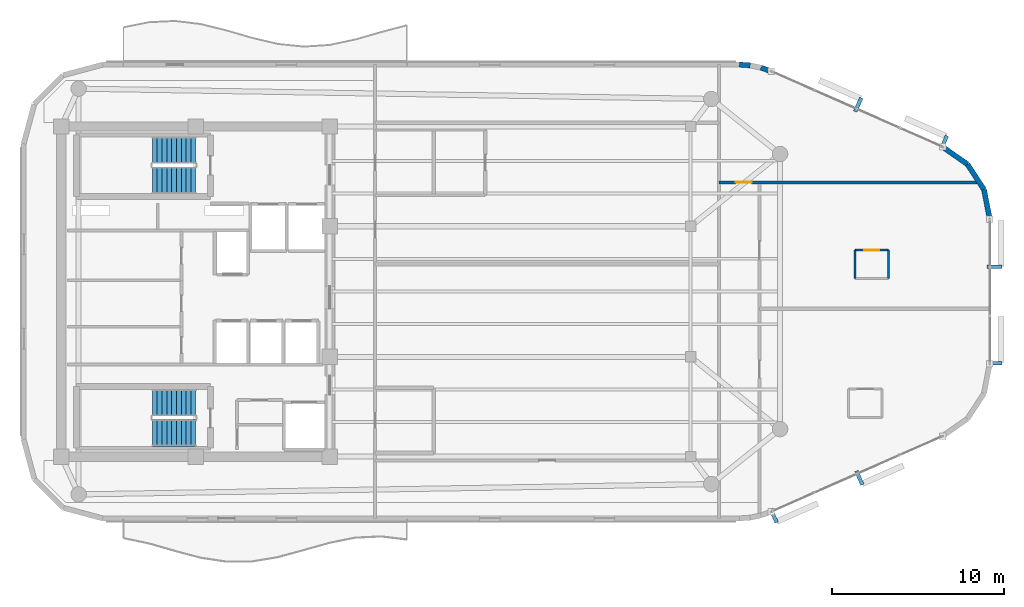
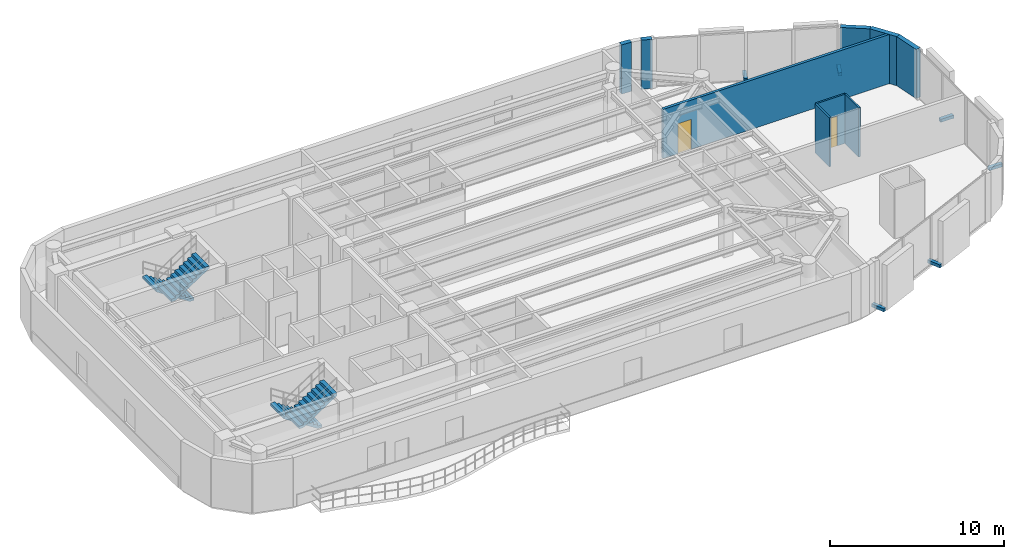
# One storey, part 10 of 12: 9 walls, 6 discrete accessories, 4 stair flights, 2 doors, 2 openings, 2 elements without a shape of their own.
"""IFC4 building model written with IfcOpenShell, lengths in metres."""

from ifc_helpers import new_model, si_unit, direction, frame, frame_2d, origin, origin_2d, place, context, subcontext, project, spatial, polyline, rectangle, outline, extrude, material, layer, layer_set, type_object, element, fill, aggregate, save


model = new_model("IFC4")

# Units and contexts
model_context = context("Model", 3, precision=1e-05, world=origin(), true_north=direction((0.0, 1.0)))
body_context = subcontext(model_context, "Body", "Model", "MODEL_VIEW")
ifc_project = project(units=[si_unit("LENGTHUNIT", "METRE"), si_unit("AREAUNIT", "SQUARE_METRE"), si_unit("VOLUMEUNIT", "CUBIC_METRE"), si_unit("PLANEANGLEUNIT", "RADIAN"), si_unit("MASSUNIT", "GRAM", prefix="KILO")], contexts=[model_context])

# Site, building, storey
site_placement = place(None, origin())
site = spatial("IfcSite", under=ifc_project, at=site_placement, CompositionType="ELEMENT")
building_placement = place(site_placement, origin())
building = spatial("IfcBuilding", under=site, at=building_placement, Name="An Khanh Terracotta Commons", CompositionType="ELEMENT")
storey_placement = place(building_placement, frame((0.0, 0.0, 262.449951171875)))
storey = spatial("IfcBuildingStorey", under=building, at=storey_placement, Name="L68", CompositionType="ELEMENT", Elevation=262.449951171875)

# Wall, opening, door
ifc_material_1 = material(Name="Fire-Rated Gypsum Board on Steel Stud", Category="steel")
ifc_layer_1 = layer(ifc_material_1, 0.179931640625, Name="Fire-Rated Gypsum Board on Steel Stud")
ifc_layer_set_1 = layer_set([ifc_layer_1], Name="Fire-Rated Gypsum Board on Steel Stud")
wall_type_1 = type_object("IfcWallType", Name="WALL-CORR-180", PredefinedType="PARTITIONING", material=ifc_layer_set_1)
wall_1_placement = place(storey_placement, frame((59.85009765625, 30.35009765625, 0.0), z_axis=(0.0, 0.0, 1.0), x_axis=(1.0, 0.0, 0.0)))
wall_1 = element("IfcWall", 1, at=wall_1_placement, inside=storey, type_object=wall_type_1, Name="L68 Interior Partition IW-L68-E007", PredefinedType="PARTITIONING", context=body_context, shape_type="SweptSolid", body=[
    extrude(rectangle(XDim=15.138916015625, YDim=0.179931640625, at=frame_2d((7.5693359375, 0.0))), origin(), (0.0, 0.0, 1.0), 3.449951171875),
])
opening_1_placement = place(wall_1_placement, frame((0.97509765625, 0.0, 0.0)))
opening_1 = element("IfcOpeningElement", 2, at=opening_1_placement, cuts=wall_1, Name="Opening D-RM", PredefinedType="OPENING", context=body_context, shape_type="SweptSolid", body=[
    extrude(rectangle(XDim=0.919921875, YDim=2.10009765625, at=frame_2d((0.4599609375, 1.050048828125))), frame((0.0, 0.099853515625, 0.0), z_axis=(0.0, -1.0, 0.0), x_axis=(1.0, 0.0, 0.0)), (0.0, 0.0, 1.0), 0.199951171875),
])
ifc_material_2 = material(Name="Engineered Hardwood Timber Leaf", Category="wood")
door_type_1 = type_object("IfcDoorType", Name="DOOR-INT-920", OperationType="NOTDEFINED", PredefinedType="DOOR", material=ifc_material_2)
door_1_placement = place(opening_1_placement, origin())
door_1 = element("IfcDoor", 3, at=door_1_placement, inside=storey, type_object=door_type_1, Name="L68 NCAP Quiet Focus Office Door", OperationType="SINGLE_SWING_RIGHT", OverallHeight=2.10009765625, OverallWidth=0.919921875, PredefinedType="DOOR", context=body_context, shape_type="SweptSolid", body=[
    extrude(rectangle(XDim=0.919921875, YDim=2.10009765625, at=frame_2d((0.4599609375, 1.050048828125))), frame((0.0, 0.02490234375, 0.0), z_axis=(0.0, -1.0, 0.0), x_axis=(1.0, 0.0, 0.0)), (0.0, 0.0, 1.0), 0.050048828125),
])
fill(opening_1, door_1)

# Walls
ifc_material_3 = material(Name="Precast concrete C40/50", Category="concrete")
ifc_layer_2 = layer(ifc_material_3, 0.300048828125, Name="Precast concrete C40/50")
ifc_layer_set_2 = layer_set([ifc_layer_2], Name="Precast concrete C40/50")
wall_type_2 = type_object("IfcWallType", Name="WALL-EXT-300", PredefinedType="SOLIDWALL", material=ifc_layer_set_2)
for number, where, z_axis, x_axis, name in (
    (4, (75.60009765625, 28.201904296875, 0.0), (0.0, 0.0, 1.0), (-0.1915005851, 0.981492499159, 0.0), "L68 Insulated Terracotta Exterior Wall 13"),
    (5, (75.262939453125, 29.929931640625, 0.0), (0.0, 0.0, 1.0), (-0.545836224831, 0.837891887813, 0.0), "L68 Insulated Terracotta Exterior Wall 14"),
):
    element("IfcWall", number, at=place(storey_placement, frame(where, z_axis=z_axis, x_axis=x_axis)), inside=storey, type_object=wall_type_2, Name=name, PredefinedType="SOLIDWALL", context=body_context, shape_type="SweptSolid", body=[
        extrude(rectangle(XDim=1.760498046875, YDim=0.300048828125, at=frame_2d((0.88037109375, 0.0))), origin(), (0.0, 0.0, 1.0), 3.449951171875),
    ])
wall_2_placement = place(storey_placement, frame((74.302001953125, 31.405029296875, 0.0), z_axis=(0.0, 0.0, 1.0), x_axis=(-0.821006966142, 0.570918174124, 0.0)))
element("IfcWall", 6, at=wall_2_placement, inside=storey, type_object=wall_type_2, Name="L68 Insulated Terracotta Exterior Wall 15", PredefinedType="SOLIDWALL", context=body_context, shape_type="SweptSolid", body=[
    extrude(rectangle(XDim=1.760009765625, YDim=0.300048828125, at=frame_2d((0.8798828125, 0.0))), origin(), (0.0, 0.0, 1.0), 3.449951171875),
])
for number, where, z_axis, x_axis, name in (
    (7, (62.886962890625, 36.80908203125, 0.0), (0.0, 0.0, 1.0), (-0.94077491148, 0.339031806665, 0.0), "L68 Insulated Terracotta Exterior Wall 17"),
    (8, (61.6650390625, 37.156005859375, 0.0), (0.0, 0.0, 1.0), (-0.997613959688, 0.069039028352, 0.0), "L68 Insulated Terracotta Exterior Wall 19"),
):
    element("IfcWall", number, at=place(storey_placement, frame(where, z_axis=z_axis, x_axis=x_axis)), inside=storey, type_object=wall_type_2, Name=name, PredefinedType="SOLIDWALL", context=body_context, shape_type="SweptSolid", body=[
        extrude(rectangle(XDim=0.636474609375, YDim=0.300048828125, at=frame_2d((0.318359375, 0.0))), origin(), (0.0, 0.0, 1.0), 3.449951171875),
    ])

# Wall, opening, door
ifc_material_4 = material(Name="Moisture-Resistant Cement Board Partition")
ifc_layer_3 = layer(ifc_material_4, 0.1201171875, Name="Moisture-Resistant Cement Board Partition")
ifc_layer_set_3 = layer_set([ifc_layer_3], Name="Moisture-Resistant Cement Board Partition")
wall_type_3 = type_object("IfcWallType", Name="WALL-WET-120", PredefinedType="PARTITIONING", material=ifc_layer_set_3)
wall_3_placement = place(storey_placement, frame((67.764892578125, 26.410888671875, 0.0), z_axis=(0.0, 0.0, 1.0), x_axis=(1.0, 0.0, 0.0)))
wall_3 = element("IfcWall", 9, at=wall_3_placement, inside=storey, type_object=wall_type_3, Name="L68 Interior Partition IW-L68-ENO1-BN", PredefinedType="PARTITIONING", context=body_context, shape_type="SweptSolid", body=[
    extrude(rectangle(XDim=1.9501953125, YDim=0.1201171875, at=frame_2d((0.97509765625, 0.0))), origin(), (0.0, 0.0, 1.0), 3.449951171875),
])
opening_2_placement = place(wall_3_placement, frame((0.544921875, 0.0, 0.0)))
opening_2 = element("IfcOpeningElement", 10, at=opening_2_placement, cuts=wall_3, Name="Opening D-ENS", PredefinedType="OPENING", context=body_context, shape_type="SweptSolid", body=[
    extrude(rectangle(XDim=0.860107421875, YDim=2.10009765625, at=frame_2d((0.43017578125, 1.050048828125))), frame((0.0, 0.070068359375, 0.0), z_axis=(0.0, -1.0, 0.0), x_axis=(1.0, 0.0, 0.0)), (0.0, 0.0, 1.0), 0.14013671875),
])
ifc_material_5 = material(Name="Moisture-Resistant Hardwood Timber Leaf", Category="wood")
door_type_2 = type_object("IfcDoorType", Name="DOOR-BATH-860", OperationType="NOTDEFINED", PredefinedType="DOOR", material=ifc_material_5)
door_2_placement = place(opening_2_placement, origin())
door_2 = element("IfcDoor", 11, at=door_2_placement, inside=storey, type_object=door_type_2, Name="L68 Studio ENO1 En-suite Door", OperationType="SINGLE_SWING_RIGHT", OverallHeight=2.10009765625, OverallWidth=0.860107421875, PredefinedType="DOOR", context=body_context, shape_type="SweptSolid", body=[
    extrude(rectangle(XDim=0.860107421875, YDim=2.10009765625, at=frame_2d((0.43017578125, 1.050048828125))), frame((0.0, 0.02490234375, 0.0), z_axis=(0.0, -1.0, 0.0), x_axis=(1.0, 0.0, 0.0)), (0.0, 0.0, 1.0), 0.050048828125),
])
fill(opening_2, door_2)

# Walls
for number, where, z_axis, x_axis, name in (
    (12, (67.764892578125, 26.410888671875, 0.0), (0.0, 0.0, 1.0), (0.0, -1.0, 0.0), "L68 Interior Partition IW-L68-ENO1-BW"),
    (13, (69.715087890625, 24.760986328125, 0.0), (0.0, 0.0, 1.0), (0.0, 1.0, 0.0), "L68 Interior Partition IW-L68-ENO1-BE"),
):
    element("IfcWall", number, at=place(storey_placement, frame(where, z_axis=z_axis, x_axis=x_axis)), inside=storey, type_object=wall_type_3, Name=name, PredefinedType="PARTITIONING", context=body_context, shape_type="SweptSolid", body=[
        extrude(rectangle(XDim=1.64990234375, YDim=0.1201171875, at=frame_2d((0.824951171875, 0.0))), origin(), (0.0, 0.0, 1.0), 3.449951171875),
    ])

# Stair, stair flights
stair_type = type_object("IfcStairType", Name="STAIR-CORE-1550", PredefinedType="HALF_TURN_STAIR", material=ifc_material_3)
stair_1_placement = place(storey_placement, origin())
stair_1 = element("IfcStair", 14, at=stair_1_placement, inside=storey, type_object=stair_type, Name="L68 Core Smokeproof Exit Stair ST-01", PredefinedType="HALF_TURN_STAIR")
stair_flight_type = type_object("IfcStairFlightType", Name="FLIGHT-CORE-1550", PredefinedType="STRAIGHT", material=ifc_material_3)
stair_flight_1_placement = place(storey_placement, frame((29.409912109375, 32.22509765625, 0.0), z_axis=(0.0, 0.0, 1.0), x_axis=(-1.0, 0.0, 0.0)))
stair_flight_1 = element("IfcStairFlight", 15, at=stair_flight_1_placement, type_object=stair_flight_type, Name="ST-01 flight 1", NumberOfRisers=10, NumberOfTreads=9, PredefinedType="STRAIGHT", RiserHeight=0.1825, TreadLength=0.28, context=body_context, shape_type="SweptSolid", body=[
    extrude(outline(polyline([(0.0, 0.0), (0.0, 0.1826171875), (0.280029296875, 0.1826171875), (0.280029296875, 0.364990234375), (0.56005859375, 0.364990234375), (0.56005859375, 0.547607421875), (0.840087890625, 0.547607421875), (0.840087890625, 0.72998046875), (1.1201171875, 0.72998046875), (1.1201171875, 0.91259765625), (1.39990234375, 0.91259765625), (1.39990234375, 1.094970703125), (1.679931640625, 1.094970703125), (1.679931640625, 1.277587890625), (1.9599609375, 1.277587890625), (1.9599609375, 1.4599609375), (2.239990234375, 1.4599609375), (2.239990234375, 1.642578125), (2.52001953125, 1.642578125), (2.52001953125, 1.824951171875), (2.52001953125, 1.463623046875), (0.2744140625, 0.0), (0.0, 0.0)])), frame((0.0, 0.77490234375, 0.0), z_axis=(0.0, -1.0, 0.0), x_axis=(1.0, 0.0, 0.0)), (0.0, 0.0, 1.0), 1.550048828125),
])
stair_flight_2_placement = place(storey_placement, frame((26.889892578125, 30.47509765625, 1.824951171875), z_axis=(0.0, 0.0, 1.0), x_axis=(1.0, 0.0, 0.0)))
stair_flight_2 = element("IfcStairFlight", 16, at=stair_flight_2_placement, type_object=stair_flight_type, Name="ST-01 flight 2", NumberOfRisers=10, NumberOfTreads=9, PredefinedType="STRAIGHT", RiserHeight=0.1825, TreadLength=0.28, context=body_context, shape_type="SweptSolid", body=[
    extrude(outline(polyline([(0.0, 0.0), (0.0, 0.1826171875), (0.280029296875, 0.1826171875), (0.280029296875, 0.364990234375), (0.56005859375, 0.364990234375), (0.56005859375, 0.547607421875), (0.840087890625, 0.547607421875), (0.840087890625, 0.72998046875), (1.1201171875, 0.72998046875), (1.1201171875, 0.91259765625), (1.39990234375, 0.91259765625), (1.39990234375, 1.094970703125), (1.679931640625, 1.094970703125), (1.679931640625, 1.277587890625), (1.9599609375, 1.277587890625), (1.9599609375, 1.4599609375), (2.239990234375, 1.4599609375), (2.239990234375, 1.642578125), (2.52001953125, 1.642578125), (2.52001953125, 1.824951171875), (2.52001953125, 1.463623046875), (0.2744140625, 0.0), (0.0, 0.0)])), frame((0.0, 0.77490234375, 0.0), z_axis=(0.0, -1.0, 0.0), x_axis=(1.0, 0.0, 0.0)), (0.0, 0.0, 1.0), 1.550048828125),
])
aggregate(stair_1, [stair_flight_1, stair_flight_2])

stair_2_placement = place(storey_placement, origin())
stair_2 = element("IfcStair", 17, at=stair_2_placement, inside=storey, type_object=stair_type, Name="L68 Core Smokeproof Exit Stair ST-02", PredefinedType="HALF_TURN_STAIR")
stair_flight_3_placement = place(storey_placement, frame((29.409912109375, 17.52490234375, 0.0), z_axis=(0.0, 0.0, 1.0), x_axis=(-1.0, 0.0, 0.0)))
stair_flight_3 = element("IfcStairFlight", 18, at=stair_flight_3_placement, type_object=stair_flight_type, Name="ST-02 flight 1", NumberOfRisers=10, NumberOfTreads=9, PredefinedType="STRAIGHT", RiserHeight=0.1825, TreadLength=0.28, context=body_context, shape_type="SweptSolid", body=[
    extrude(outline(polyline([(0.0, 0.0), (0.0, 0.1826171875), (0.280029296875, 0.1826171875), (0.280029296875, 0.364990234375), (0.56005859375, 0.364990234375), (0.56005859375, 0.547607421875), (0.840087890625, 0.547607421875), (0.840087890625, 0.72998046875), (1.1201171875, 0.72998046875), (1.1201171875, 0.91259765625), (1.39990234375, 0.91259765625), (1.39990234375, 1.094970703125), (1.679931640625, 1.094970703125), (1.679931640625, 1.277587890625), (1.9599609375, 1.277587890625), (1.9599609375, 1.4599609375), (2.239990234375, 1.4599609375), (2.239990234375, 1.642578125), (2.52001953125, 1.642578125), (2.52001953125, 1.824951171875), (2.52001953125, 1.463623046875), (0.2744140625, 0.0), (0.0, 0.0)])), frame((0.0, 0.77490234375, 0.0), z_axis=(0.0, -1.0, 0.0), x_axis=(1.0, 0.0, 0.0)), (0.0, 0.0, 1.0), 1.550048828125),
])
stair_flight_4_placement = place(storey_placement, frame((26.889892578125, 15.77490234375, 1.824951171875), z_axis=(0.0, 0.0, 1.0), x_axis=(1.0, 0.0, 0.0)))
stair_flight_4 = element("IfcStairFlight", 19, at=stair_flight_4_placement, type_object=stair_flight_type, Name="ST-02 flight 2", NumberOfRisers=10, NumberOfTreads=9, PredefinedType="STRAIGHT", RiserHeight=0.1825, TreadLength=0.28, context=body_context, shape_type="SweptSolid", body=[
    extrude(outline(polyline([(0.0, 0.0), (0.0, 0.1826171875), (0.280029296875, 0.1826171875), (0.280029296875, 0.364990234375), (0.56005859375, 0.364990234375), (0.56005859375, 0.547607421875), (0.840087890625, 0.547607421875), (0.840087890625, 0.72998046875), (1.1201171875, 0.72998046875), (1.1201171875, 0.91259765625), (1.39990234375, 0.91259765625), (1.39990234375, 1.094970703125), (1.679931640625, 1.094970703125), (1.679931640625, 1.277587890625), (1.9599609375, 1.277587890625), (1.9599609375, 1.4599609375), (2.239990234375, 1.4599609375), (2.239990234375, 1.642578125), (2.52001953125, 1.642578125), (2.52001953125, 1.824951171875), (2.52001953125, 1.463623046875), (0.2744140625, 0.0), (0.0, 0.0)])), frame((0.0, 0.77490234375, 0.0), z_axis=(0.0, -1.0, 0.0), x_axis=(1.0, 0.0, 0.0)), (0.0, 0.0, 1.0), 1.550048828125),
])
aggregate(stair_2, [stair_flight_3, stair_flight_4])

# Discrete accessories
ifc_material_6 = material(Name="Stainless Steel Grade 316L", Category="steel")
discrete_accessory_type = type_object("IfcDiscreteAccessoryType", Name="Stainless Outrigger Facade Bracket", PredefinedType="BRACKET", material=ifc_material_6)
for number, where, z_axis, x_axis, name in (
    (20, (63.02587890625, 10.962890625, 0.06982421875), (0.0, 0.0, 1.0), (0.914901853201, 0.403676354285, 0.0), "L68 Terracotta Screen Outrigger Bracket 1"),
    (21, (68.010986328125, 13.162109375, 0.06982421875), (0.0, 0.0, 1.0), (0.914901853201, 0.403676354285, 0.0), "L68 Terracotta Screen Outrigger Bracket 3"),
    (22, (75.864990234375, 19.8330078125, 0.06982421875), (0.0, 0.0, 1.0), (0.0, 1.0, 0.0), "L68 Terracotta Screen Outrigger Bracket 1"),
    (23, (75.864990234375, 25.43603515625, 0.06982421875), (0.0, 0.0, 1.0), (0.0, 1.0, 0.0), "L68 Terracotta Screen Outrigger Bracket 3"),
    (24, (72.931884765625, 32.6669921875, 0.06982421875), (0.0, 0.0, 1.0), (-0.914901853201, 0.403676354285, 0.0), "L68 Terracotta Screen Outrigger Bracket 1"),
    (25, (67.947021484375, 34.865966796875, 0.06982421875), (0.0, 0.0, 1.0), (-0.914901853201, 0.403676354285, 0.0), "L68 Terracotta Screen Outrigger Bracket 3"),
):
    element("IfcDiscreteAccessory", number, at=place(storey_placement, frame(where, z_axis=z_axis, x_axis=x_axis)), inside=storey, type_object=discrete_accessory_type, Name=name, PredefinedType="BRACKET", context=body_context, shape_type="SweptSolid", body=[
        extrude(rectangle(XDim=0.219970703125, YDim=0.8701171875, at=origin_2d()), origin(), (0.0, 0.0, 1.0), 0.219970703125),
    ])

save(model, "model.ifc")
